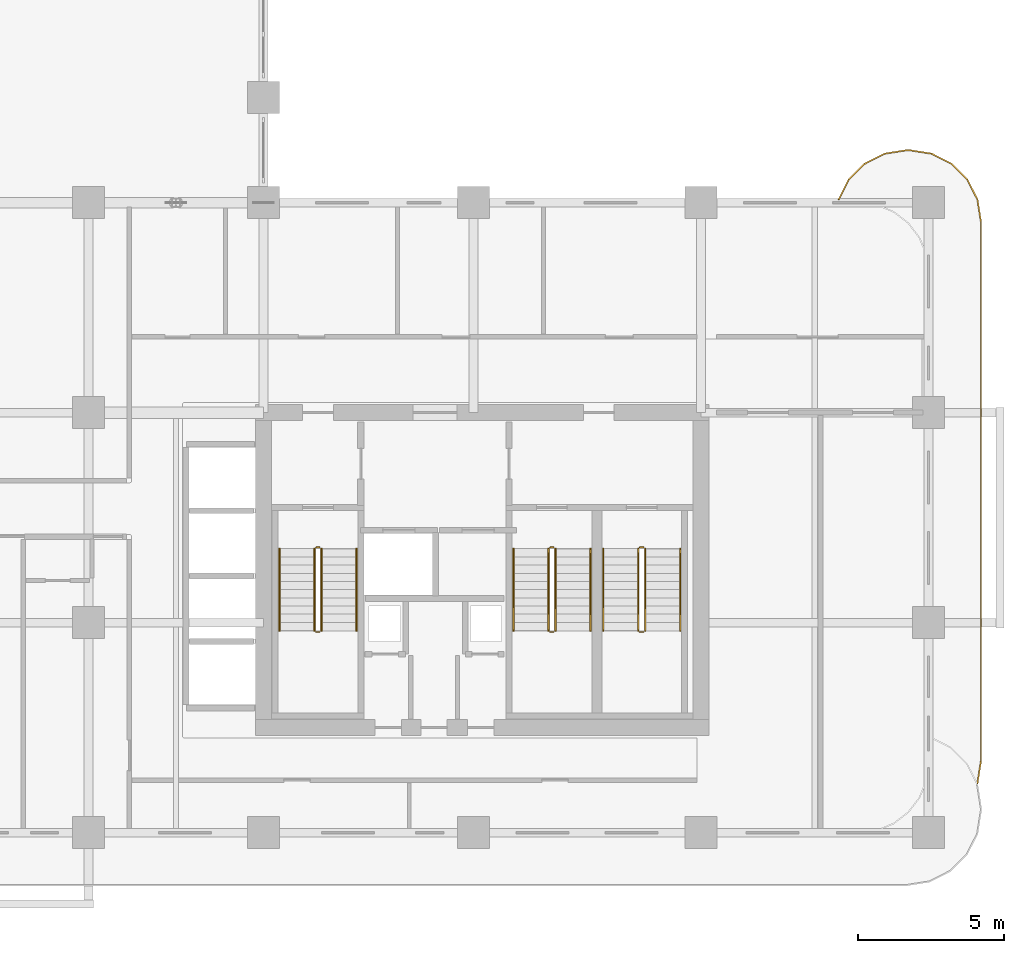
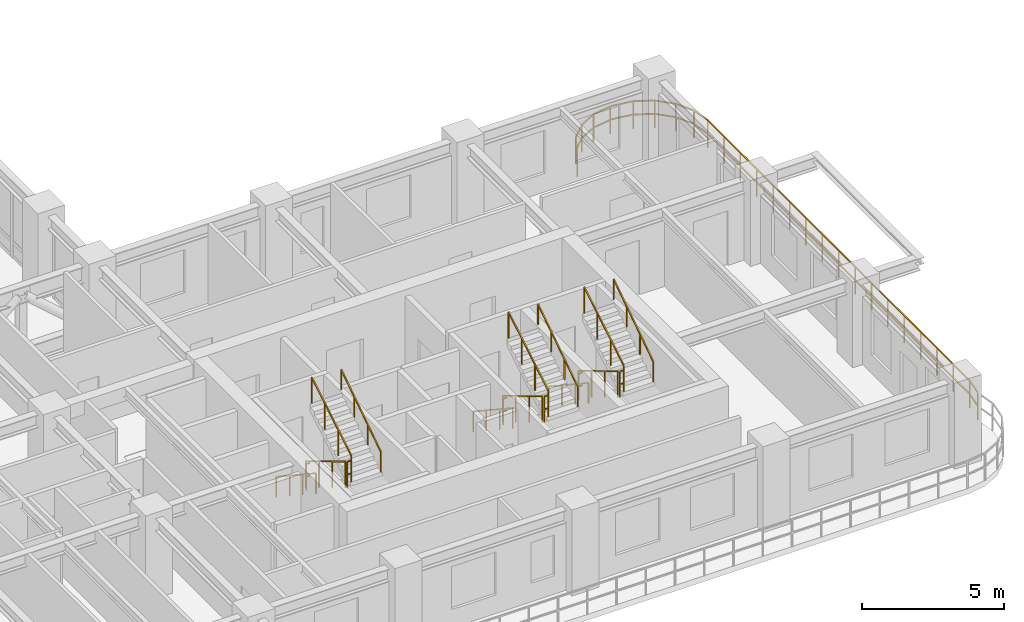
# One storey, part 19 of 21: 19 railings.
"""IFC4 building model written with IfcOpenShell, lengths in metres."""

from ifc_helpers import new_model, si_unit, derived_unit, direction, frame, origin, origin_2d, place, context, subcontext, project, spatial, rectangle, extrude, material, type_object, element, save


model = new_model("IFC4")

# Units and contexts
model_context = context("Model", 3, precision=1e-05, world=origin(), true_north=direction((0.0, 1.0)))
body_context = subcontext(model_context, "Body", "Model", "MODEL_VIEW")
ifc_project = project(units=[si_unit("LENGTHUNIT", "METRE"), si_unit("AREAUNIT", "SQUARE_METRE"), si_unit("VOLUMEUNIT", "CUBIC_METRE"), si_unit("PLANEANGLEUNIT", "RADIAN"), si_unit("MASSUNIT", "GRAM", prefix="KILO"), si_unit("THERMODYNAMICTEMPERATUREUNIT", "KELVIN"), si_unit("POWERUNIT", "WATT"), derived_unit("THERMALTRANSMITTANCEUNIT", [(si_unit("POWERUNIT", "WATT"), 1), (si_unit("AREAUNIT", "SQUARE_METRE"), -1), (si_unit("THERMODYNAMICTEMPERATUREUNIT", "KELVIN"), -1)])], contexts=[model_context])

# Site, building, storey
site_placement = place(None, origin())
site = spatial("IfcSite", under=ifc_project, at=site_placement, CompositionType="ELEMENT")
building_placement = place(site_placement, origin())
building = spatial("IfcBuilding", under=site, at=building_placement, Name="Zahravan Archway Hotel and Residences", CompositionType="ELEMENT")
storey_placement = place(building_placement, frame((0.0, 0.0, 65.699951171875)))
storey = spatial("IfcBuildingStorey", under=building, at=storey_placement, Name="L15", CompositionType="ELEMENT", Elevation=65.699951171875)

# Railings
ifc_material_1 = material(Name="Bronze & Laminated Glass Balustrade", Category="glass")
railing_type_1 = type_object("IfcRailingType", Name="RL-BAL-1200", PredefinedType="BALUSTRADE", material=ifc_material_1)
railing_1_placement = place(storey_placement, frame((54.52001953125, 21.70703125, 0.0)))
element("IfcRailing", 1, at=railing_1_placement, inside=storey, type_object=railing_type_1, Name="L15 Balustrade RL-SLB-BAL-L15-EA-1", PredefinedType="BALUSTRADE", context=body_context, shape_type="SweptSolid", body=[
    extrude(rectangle(XDim=0.048095703125, YDim=0.048095703125, at=origin_2d()), frame((0.0, 0.0, 1.17578125), z_axis=(0.453825591531, 0.891090529897, 0.0), x_axis=(-0.891090529897, 0.453825591531, 0.0)), (0.0, 0.0, 1.0), 0.7666015625),
    extrude(rectangle(XDim=0.048095703125, YDim=0.048095703125, at=origin_2d()), frame((0.0, 0.0, 0.60009765625), z_axis=(0.453825591531, 0.891090529897, 0.0), x_axis=(-0.891090529897, 0.453825591531, 0.0)), (0.0, 0.0, 1.0), 0.7666015625),
    extrude(rectangle(XDim=0.048095703125, YDim=0.048095703125, at=origin_2d()), frame((0.347900390625, 0.68310546875, 1.17578125), z_axis=(0.707106781187, 0.707106781187, 0.0), x_axis=(-0.707106781187, 0.707106781187, 0.0)), (0.0, 0.0, 1.0), 0.7666015625),
    extrude(rectangle(XDim=0.048095703125, YDim=0.048095703125, at=origin_2d()), frame((0.347900390625, 0.68310546875, 0.60009765625), z_axis=(0.707106781187, 0.707106781187, 0.0), x_axis=(-0.707106781187, 0.707106781187, 0.0)), (0.0, 0.0, 1.0), 0.7666015625),
    extrude(rectangle(XDim=0.048095703125, YDim=0.048095703125, at=origin_2d()), frame((0.889892578125, 1.22509765625, 1.17578125), z_axis=(0.891090529897, 0.453825591531, 0.0), x_axis=(-0.453825591531, 0.891090529897, 0.0)), (0.0, 0.0, 1.0), 0.7666015625),
    extrude(rectangle(XDim=0.048095703125, YDim=0.048095703125, at=origin_2d()), frame((0.889892578125, 1.22509765625, 0.60009765625), z_axis=(0.891090529897, 0.453825591531, 0.0), x_axis=(-0.453825591531, 0.891090529897, 0.0)), (0.0, 0.0, 1.0), 0.7666015625),
    extrude(rectangle(XDim=0.048095703125, YDim=0.048095703125, at=origin_2d()), frame((1.572998046875, 1.572998046875, 1.17578125), z_axis=(0.987695728695, 0.156387811283, 0.0), x_axis=(-0.156387811283, 0.987695728695, 0.0)), (0.0, 0.0, 1.0), 0.7666015625),
    extrude(rectangle(XDim=0.048095703125, YDim=0.048095703125, at=origin_2d()), frame((1.572998046875, 1.572998046875, 0.60009765625), z_axis=(0.987695728695, 0.156387811283, 0.0), x_axis=(-0.156387811283, 0.987695728695, 0.0)), (0.0, 0.0, 1.0), 0.7666015625),
    extrude(rectangle(XDim=0.048095703125, YDim=0.048095703125, at=origin_2d()), frame((2.330078125, 1.69287109375, 1.17578125), z_axis=(1.0, 0.0, 0.0), x_axis=(0.0, 1.0, 0.0)), (0.0, 0.0, 1.0), 0.099853515625),
    extrude(rectangle(XDim=0.048095703125, YDim=0.048095703125, at=origin_2d()), frame((2.330078125, 1.69287109375, 0.60009765625), z_axis=(1.0, 0.0, 0.0), x_axis=(0.0, 1.0, 0.0)), (0.0, 0.0, 1.0), 0.099853515625),
    extrude(rectangle(XDim=0.048095703125, YDim=0.048095703125, at=origin_2d()), frame((2.429931640625, 1.69287109375, 1.17578125), z_axis=(0.987695728695, -0.156387811283, 0.0), x_axis=(0.156387811283, 0.987695728695, 0.0)), (0.0, 0.0, 1.0), 0.7666015625),
    extrude(rectangle(XDim=0.048095703125, YDim=0.048095703125, at=origin_2d()), frame((2.429931640625, 1.69287109375, 0.60009765625), z_axis=(0.987695728695, -0.156387811283, 0.0), x_axis=(0.156387811283, 0.987695728695, 0.0)), (0.0, 0.0, 1.0), 0.7666015625),
    extrude(rectangle(XDim=0.048095703125, YDim=0.048095703125, at=origin_2d()), frame((3.18701171875, 1.572998046875, 1.17578125), z_axis=(0.891090529897, -0.453825591531, 0.0), x_axis=(0.453825591531, 0.891090529897, 0.0)), (0.0, 0.0, 1.0), 0.7666015625),
    extrude(rectangle(XDim=0.048095703125, YDim=0.048095703125, at=origin_2d()), frame((3.18701171875, 1.572998046875, 0.60009765625), z_axis=(0.891090529897, -0.453825591531, 0.0), x_axis=(0.453825591531, 0.891090529897, 0.0)), (0.0, 0.0, 1.0), 0.7666015625),
    extrude(rectangle(XDim=0.048095703125, YDim=0.048095703125, at=origin_2d()), frame((3.8701171875, 1.22509765625, 1.17578125), z_axis=(0.707106781187, -0.707106781187, 0.0), x_axis=(0.707106781187, 0.707106781187, 0.0)), (0.0, 0.0, 1.0), 0.7666015625),
    extrude(rectangle(XDim=0.048095703125, YDim=0.048095703125, at=origin_2d()), frame((3.8701171875, 1.22509765625, 0.60009765625), z_axis=(0.707106781187, -0.707106781187, 0.0), x_axis=(0.707106781187, 0.707106781187, 0.0)), (0.0, 0.0, 1.0), 0.7666015625),
    extrude(rectangle(XDim=0.048095703125, YDim=0.048095703125, at=origin_2d()), frame((4.412109375, 0.68310546875, 1.17578125), z_axis=(0.453825591531, -0.891090529897, 0.0), x_axis=(0.891090529897, 0.453825591531, 0.0)), (0.0, 0.0, 1.0), 0.7666015625),
    extrude(rectangle(XDim=0.048095703125, YDim=0.048095703125, at=origin_2d()), frame((4.412109375, 0.68310546875, 0.60009765625), z_axis=(0.453825591531, -0.891090529897, 0.0), x_axis=(0.891090529897, 0.453825591531, 0.0)), (0.0, 0.0, 1.0), 0.7666015625),
    extrude(rectangle(XDim=0.048095703125, YDim=0.048095703125, at=origin_2d()), frame((4.760009765625, 0.0, 1.17578125), z_axis=(0.156387811283, -0.987695728695, 0.0), x_axis=(0.987695728695, 0.156387811283, 0.0)), (0.0, 0.0, 1.0), 0.7666015625),
    extrude(rectangle(XDim=0.048095703125, YDim=0.048095703125, at=origin_2d()), frame((4.760009765625, 0.0, 0.60009765625), z_axis=(0.156387811283, -0.987695728695, 0.0), x_axis=(0.987695728695, 0.156387811283, 0.0)), (0.0, 0.0, 1.0), 0.7666015625),
    extrude(rectangle(XDim=0.048095703125, YDim=0.048095703125, at=origin_2d()), frame((4.8798828125, -0.757080078125, 1.17578125), z_axis=(0.0, -1.0, 0.0), x_axis=(1.0, 0.0, 0.0)), (0.0, 0.0, 1.0), 18.5),
    extrude(rectangle(XDim=0.048095703125, YDim=0.048095703125, at=origin_2d()), frame((4.8798828125, -0.757080078125, 0.60009765625), z_axis=(0.0, -1.0, 0.0), x_axis=(1.0, 0.0, 0.0)), (0.0, 0.0, 1.0), 18.5),
    extrude(rectangle(XDim=0.048095703125, YDim=0.048095703125, at=origin_2d()), frame((4.8798828125, -19.257080078125, 1.17578125), z_axis=(-0.156387811283, -0.987695728695, 0.0), x_axis=(0.987695728695, -0.156387811283, 0.0)), (0.0, 0.0, 1.0), 0.7666015625),
    extrude(rectangle(XDim=0.048095703125, YDim=0.048095703125, at=origin_2d()), frame((4.8798828125, -19.257080078125, 0.60009765625), z_axis=(-0.156387811283, -0.987695728695, 0.0), x_axis=(0.987695728695, -0.156387811283, 0.0)), (0.0, 0.0, 1.0), 0.7666015625),
    extrude(rectangle(XDim=0.0419921875, YDim=0.0419921875, at=origin_2d()), origin(), (0.0, 0.0, 1.0), 1.15185546875),
    extrude(rectangle(XDim=0.0419921875, YDim=0.0419921875, at=origin_2d()), frame((0.347900390625, 0.68310546875, 0.0)), (0.0, 0.0, 1.0), 1.15185546875),
    extrude(rectangle(XDim=0.0419921875, YDim=0.0419921875, at=origin_2d()), frame((0.889892578125, 1.22509765625, 0.0)), (0.0, 0.0, 1.0), 1.15185546875),
    extrude(rectangle(XDim=0.0419921875, YDim=0.0419921875, at=origin_2d()), frame((1.572998046875, 1.572998046875, 0.0)), (0.0, 0.0, 1.0), 1.15185546875),
    extrude(rectangle(XDim=0.0419921875, YDim=0.0419921875, at=origin_2d()), frame((2.330078125, 1.69287109375, 0.0)), (0.0, 0.0, 1.0), 1.15185546875),
    extrude(rectangle(XDim=0.0419921875, YDim=0.0419921875, at=origin_2d()), frame((3.18701171875, 1.572998046875, 0.0)), (0.0, 0.0, 1.0), 1.15185546875),
    extrude(rectangle(XDim=0.0419921875, YDim=0.0419921875, at=origin_2d()), frame((3.8701171875, 1.22509765625, 0.0)), (0.0, 0.0, 1.0), 1.15185546875),
    extrude(rectangle(XDim=0.0419921875, YDim=0.0419921875, at=origin_2d()), frame((4.412109375, 0.68310546875, 0.0)), (0.0, 0.0, 1.0), 1.15185546875),
    extrude(rectangle(XDim=0.0419921875, YDim=0.0419921875, at=origin_2d()), frame((4.760009765625, 0.0, 0.0)), (0.0, 0.0, 1.0), 1.15185546875),
    extrude(rectangle(XDim=0.0419921875, YDim=0.0419921875, at=origin_2d()), frame((4.8798828125, -0.757080078125, 0.0)), (0.0, 0.0, 1.0), 1.15185546875),
    extrude(rectangle(XDim=0.0419921875, YDim=0.0419921875, at=origin_2d()), frame((4.8798828125, -1.913330078125, 0.0)), (0.0, 0.0, 1.0), 1.15185546875),
    extrude(rectangle(XDim=0.0419921875, YDim=0.0419921875, at=origin_2d()), frame((4.8798828125, -3.069580078125, 0.0)), (0.0, 0.0, 1.0), 1.15185546875),
    extrude(rectangle(XDim=0.0419921875, YDim=0.0419921875, at=origin_2d()), frame((4.8798828125, -4.225830078125, 0.0)), (0.0, 0.0, 1.0), 1.15185546875),
    extrude(rectangle(XDim=0.0419921875, YDim=0.0419921875, at=origin_2d()), frame((4.8798828125, -5.382080078125, 0.0)), (0.0, 0.0, 1.0), 1.15185546875),
    extrude(rectangle(XDim=0.0419921875, YDim=0.0419921875, at=origin_2d()), frame((4.8798828125, -6.538330078125, 0.0)), (0.0, 0.0, 1.0), 1.15185546875),
    extrude(rectangle(XDim=0.0419921875, YDim=0.0419921875, at=origin_2d()), frame((4.8798828125, -7.694580078125, 0.0)), (0.0, 0.0, 1.0), 1.15185546875),
    extrude(rectangle(XDim=0.0419921875, YDim=0.0419921875, at=origin_2d()), frame((4.8798828125, -8.850830078125, 0.0)), (0.0, 0.0, 1.0), 1.15185546875),
    extrude(rectangle(XDim=0.0419921875, YDim=0.0419921875, at=origin_2d()), frame((4.8798828125, -10.007080078125, 0.0)), (0.0, 0.0, 1.0), 1.15185546875),
    extrude(rectangle(XDim=0.0419921875, YDim=0.0419921875, at=origin_2d()), frame((4.8798828125, -11.163330078125, 0.0)), (0.0, 0.0, 1.0), 1.15185546875),
    extrude(rectangle(XDim=0.0419921875, YDim=0.0419921875, at=origin_2d()), frame((4.8798828125, -12.319580078125, 0.0)), (0.0, 0.0, 1.0), 1.15185546875),
    extrude(rectangle(XDim=0.0419921875, YDim=0.0419921875, at=origin_2d()), frame((4.8798828125, -13.475830078125, 0.0)), (0.0, 0.0, 1.0), 1.15185546875),
    extrude(rectangle(XDim=0.0419921875, YDim=0.0419921875, at=origin_2d()), frame((4.8798828125, -14.632080078125, 0.0)), (0.0, 0.0, 1.0), 1.15185546875),
    extrude(rectangle(XDim=0.0419921875, YDim=0.0419921875, at=origin_2d()), frame((4.8798828125, -15.788330078125, 0.0)), (0.0, 0.0, 1.0), 1.15185546875),
    extrude(rectangle(XDim=0.0419921875, YDim=0.0419921875, at=origin_2d()), frame((4.8798828125, -16.944580078125, 0.0)), (0.0, 0.0, 1.0), 1.15185546875),
    extrude(rectangle(XDim=0.0419921875, YDim=0.0419921875, at=origin_2d()), frame((4.8798828125, -18.100830078125, 0.0)), (0.0, 0.0, 1.0), 1.15185546875),
    extrude(rectangle(XDim=0.0419921875, YDim=0.0419921875, at=origin_2d()), frame((4.8798828125, -19.257080078125, 0.0)), (0.0, 0.0, 1.0), 1.15185546875),
    extrude(rectangle(XDim=0.0419921875, YDim=0.0419921875, at=origin_2d()), frame((4.760009765625, -20.01416015625, 0.0)), (0.0, 0.0, 1.0), 1.15185546875),
])
ifc_material_2 = material(Name="Painted Tubular Steel", Category="steel")
railing_type_2 = type_object("IfcRailingType", Name="RL-STG-1150", PredefinedType="GUARDRAIL", material=ifc_material_2)
railing_2_placement = place(storey_placement, frame((36.550048828125, 9.72998046875, 0.168212890625)))
element("IfcRailing", 2, at=railing_2_placement, inside=storey, type_object=railing_type_2, Name="L15 ST-A1 stair guard 1", PredefinedType="GUARDRAIL", context=body_context, shape_type="SweptSolid", body=[
    extrude(rectangle(XDim=0.048095703125, YDim=0.048095703125, at=origin_2d()), frame((0.0, 0.0, 1.1259765625), z_axis=(0.0, -0.857242210791, 0.514913383045), x_axis=(1.0, 0.0, 0.0)), (0.0, 0.0, 1.0), 3.266357421875),
    extrude(rectangle(XDim=0.0419921875, YDim=0.0419921875, at=origin_2d()), origin(), (0.0, 0.0, 1.0), 1.101806640625),
    extrude(rectangle(XDim=0.0419921875, YDim=0.0419921875, at=origin_2d()), frame((0.0, -0.933349609375, 0.560546875)), (0.0, 0.0, 1.0), 1.101806640625),
    extrude(rectangle(XDim=0.0419921875, YDim=0.0419921875, at=origin_2d()), frame((0.0, -1.86669921875, 1.121337890625)), (0.0, 0.0, 1.0), 1.101806640625),
    extrude(rectangle(XDim=0.0419921875, YDim=0.0419921875, at=origin_2d()), frame((0.0, -2.800048828125, 1.681884765625)), (0.0, 0.0, 1.0), 1.101806640625),
])
railing_3_placement = place(storey_placement, frame((36.60009765625, 6.8798828125, 1.85009765625)))
element("IfcRailing", 3, at=railing_3_placement, inside=storey, type_object=railing_type_2, Name="L15 ST-A1 stair guard 2", PredefinedType="GUARDRAIL", context=body_context, shape_type="SweptSolid", body=[
    extrude(rectangle(XDim=0.048095703125, YDim=0.048095703125, at=origin_2d()), frame((0.0, 0.0, 1.1259765625), z_axis=(1.0, 0.0, 0.0), x_axis=(0.0, 1.0, 0.0)), (0.0, 0.0, 1.0), 0.139892578125),
    extrude(rectangle(XDim=0.048095703125, YDim=0.048095703125, at=origin_2d()), frame((0.0, 0.0, 0.574951171875), z_axis=(1.0, 0.0, 0.0), x_axis=(0.0, 1.0, 0.0)), (0.0, 0.0, 1.0), 0.139892578125),
    extrude(rectangle(XDim=0.0419921875, YDim=0.0419921875, at=origin_2d()), origin(), (0.0, 0.0, 1.0), 1.101806640625),
])
railing_4_placement = place(storey_placement, frame((36.7900390625, 6.929931640625, 2.018310546875)))
element("IfcRailing", 4, at=railing_4_placement, inside=storey, type_object=railing_type_2, Name="L15 ST-A1 stair guard 3", PredefinedType="GUARDRAIL", context=body_context, shape_type="SweptSolid", body=[
    extrude(rectangle(XDim=0.048095703125, YDim=0.048095703125, at=origin_2d()), frame((0.0, 0.0, 1.1259765625), z_axis=(0.0, 0.857275202839, 0.514858452973), x_axis=(-1.0, 0.0, 0.0)), (0.0, 0.0, 1.0), 3.26611328125),
    extrude(rectangle(XDim=0.0419921875, YDim=0.0419921875, at=origin_2d()), origin(), (0.0, 0.0, 1.0), 1.101806640625),
    extrude(rectangle(XDim=0.0419921875, YDim=0.0419921875, at=origin_2d()), frame((0.0, 0.933349609375, 0.560546875)), (0.0, 0.0, 1.0), 1.101806640625),
    extrude(rectangle(XDim=0.0419921875, YDim=0.0419921875, at=origin_2d()), frame((0.0, 1.86669921875, 1.12109375)), (0.0, 0.0, 1.0), 1.101806640625),
    extrude(rectangle(XDim=0.0419921875, YDim=0.0419921875, at=origin_2d()), frame((0.0, 2.800048828125, 1.681640625)), (0.0, 0.0, 1.0), 1.101806640625),
])
railing_5_placement = place(storey_placement, frame((36.60009765625, 9.780029296875, 0.0)))
element("IfcRailing", 5, at=railing_5_placement, inside=storey, type_object=railing_type_2, Name="L15 ST-A1 stair guard 4", PredefinedType="GUARDRAIL", context=body_context, shape_type="SweptSolid", body=[
    extrude(rectangle(XDim=0.048095703125, YDim=0.048095703125, at=origin_2d()), frame((0.0, 0.0, 1.1259765625), z_axis=(1.0, 0.0, 0.0), x_axis=(0.0, 1.0, 0.0)), (0.0, 0.0, 1.0), 0.139892578125),
    extrude(rectangle(XDim=0.048095703125, YDim=0.048095703125, at=origin_2d()), frame((0.0, 0.0, 0.574951171875), z_axis=(1.0, 0.0, 0.0), x_axis=(0.0, 1.0, 0.0)), (0.0, 0.0, 1.0), 0.139892578125),
    extrude(rectangle(XDim=0.0419921875, YDim=0.0419921875, at=origin_2d()), origin(), (0.0, 0.0, 1.0), 1.101806640625),
])
railing_6_placement = place(storey_placement, frame((44.570068359375, 9.72998046875, 0.168212890625)))
element("IfcRailing", 6, at=railing_6_placement, inside=storey, type_object=railing_type_2, Name="L15 ST-A2 stair guard 1", PredefinedType="GUARDRAIL", context=body_context, shape_type="SweptSolid", body=[
    extrude(rectangle(XDim=0.048095703125, YDim=0.048095703125, at=origin_2d()), frame((0.0, 0.0, 1.1259765625), z_axis=(0.0, -0.857242210791, 0.514913383045), x_axis=(1.0, 0.0, 0.0)), (0.0, 0.0, 1.0), 3.266357421875),
    extrude(rectangle(XDim=0.0419921875, YDim=0.0419921875, at=origin_2d()), origin(), (0.0, 0.0, 1.0), 1.101806640625),
    extrude(rectangle(XDim=0.0419921875, YDim=0.0419921875, at=origin_2d()), frame((0.0, -0.933349609375, 0.560546875)), (0.0, 0.0, 1.0), 1.101806640625),
    extrude(rectangle(XDim=0.0419921875, YDim=0.0419921875, at=origin_2d()), frame((0.0, -1.86669921875, 1.121337890625)), (0.0, 0.0, 1.0), 1.101806640625),
    extrude(rectangle(XDim=0.0419921875, YDim=0.0419921875, at=origin_2d()), frame((0.0, -2.800048828125, 1.681884765625)), (0.0, 0.0, 1.0), 1.101806640625),
])
railing_7_placement = place(storey_placement, frame((44.6201171875, 6.8798828125, 1.85009765625)))
element("IfcRailing", 7, at=railing_7_placement, inside=storey, type_object=railing_type_2, Name="L15 ST-A2 stair guard 2", PredefinedType="GUARDRAIL", context=body_context, shape_type="SweptSolid", body=[
    extrude(rectangle(XDim=0.048095703125, YDim=0.048095703125, at=origin_2d()), frame((0.0, 0.0, 1.1259765625), z_axis=(1.0, 0.0, 0.0), x_axis=(0.0, 1.0, 0.0)), (0.0, 0.0, 1.0), 0.139892578125),
    extrude(rectangle(XDim=0.048095703125, YDim=0.048095703125, at=origin_2d()), frame((0.0, 0.0, 0.574951171875), z_axis=(1.0, 0.0, 0.0), x_axis=(0.0, 1.0, 0.0)), (0.0, 0.0, 1.0), 0.139892578125),
    extrude(rectangle(XDim=0.0419921875, YDim=0.0419921875, at=origin_2d()), origin(), (0.0, 0.0, 1.0), 1.101806640625),
])
railing_8_placement = place(storey_placement, frame((44.81005859375, 6.929931640625, 2.018310546875)))
element("IfcRailing", 8, at=railing_8_placement, inside=storey, type_object=railing_type_2, Name="L15 ST-A2 stair guard 3", PredefinedType="GUARDRAIL", context=body_context, shape_type="SweptSolid", body=[
    extrude(rectangle(XDim=0.048095703125, YDim=0.048095703125, at=origin_2d()), frame((0.0, 0.0, 1.1259765625), z_axis=(0.0, 0.857275202839, 0.514858452973), x_axis=(-1.0, 0.0, 0.0)), (0.0, 0.0, 1.0), 3.26611328125),
    extrude(rectangle(XDim=0.0419921875, YDim=0.0419921875, at=origin_2d()), origin(), (0.0, 0.0, 1.0), 1.101806640625),
    extrude(rectangle(XDim=0.0419921875, YDim=0.0419921875, at=origin_2d()), frame((0.0, 0.933349609375, 0.560546875)), (0.0, 0.0, 1.0), 1.101806640625),
    extrude(rectangle(XDim=0.0419921875, YDim=0.0419921875, at=origin_2d()), frame((0.0, 1.86669921875, 1.12109375)), (0.0, 0.0, 1.0), 1.101806640625),
    extrude(rectangle(XDim=0.0419921875, YDim=0.0419921875, at=origin_2d()), frame((0.0, 2.800048828125, 1.681640625)), (0.0, 0.0, 1.0), 1.101806640625),
])
railing_9_placement = place(storey_placement, frame((44.6201171875, 9.780029296875, 0.0)))
element("IfcRailing", 9, at=railing_9_placement, inside=storey, type_object=railing_type_2, Name="L15 ST-A2 stair guard 4", PredefinedType="GUARDRAIL", context=body_context, shape_type="SweptSolid", body=[
    extrude(rectangle(XDim=0.048095703125, YDim=0.048095703125, at=origin_2d()), frame((0.0, 0.0, 1.1259765625), z_axis=(1.0, 0.0, 0.0), x_axis=(0.0, 1.0, 0.0)), (0.0, 0.0, 1.0), 0.139892578125),
    extrude(rectangle(XDim=0.048095703125, YDim=0.048095703125, at=origin_2d()), frame((0.0, 0.0, 0.574951171875), z_axis=(1.0, 0.0, 0.0), x_axis=(0.0, 1.0, 0.0)), (0.0, 0.0, 1.0), 0.139892578125),
    extrude(rectangle(XDim=0.0419921875, YDim=0.0419921875, at=origin_2d()), origin(), (0.0, 0.0, 1.0), 1.101806640625),
])
railing_10_placement = place(storey_placement, frame((47.64990234375, 9.72998046875, 0.168212890625)))
element("IfcRailing", 10, at=railing_10_placement, inside=storey, type_object=railing_type_2, Name="L15 ST-A3 stair guard 1", PredefinedType="GUARDRAIL", context=body_context, shape_type="SweptSolid", body=[
    extrude(rectangle(XDim=0.048095703125, YDim=0.048095703125, at=origin_2d()), frame((0.0, 0.0, 1.1259765625), z_axis=(0.0, -0.857242210791, 0.514913383045), x_axis=(1.0, 0.0, 0.0)), (0.0, 0.0, 1.0), 3.266357421875),
    extrude(rectangle(XDim=0.0419921875, YDim=0.0419921875, at=origin_2d()), origin(), (0.0, 0.0, 1.0), 1.101806640625),
    extrude(rectangle(XDim=0.0419921875, YDim=0.0419921875, at=origin_2d()), frame((0.0, -0.933349609375, 0.560546875)), (0.0, 0.0, 1.0), 1.101806640625),
    extrude(rectangle(XDim=0.0419921875, YDim=0.0419921875, at=origin_2d()), frame((0.0, -1.86669921875, 1.121337890625)), (0.0, 0.0, 1.0), 1.101806640625),
    extrude(rectangle(XDim=0.0419921875, YDim=0.0419921875, at=origin_2d()), frame((0.0, -2.800048828125, 1.681884765625)), (0.0, 0.0, 1.0), 1.101806640625),
])
railing_11_placement = place(storey_placement, frame((47.699951171875, 6.8798828125, 1.85009765625)))
element("IfcRailing", 11, at=railing_11_placement, inside=storey, type_object=railing_type_2, Name="L15 ST-A3 stair guard 2", PredefinedType="GUARDRAIL", context=body_context, shape_type="SweptSolid", body=[
    extrude(rectangle(XDim=0.048095703125, YDim=0.048095703125, at=origin_2d()), frame((0.0, 0.0, 1.1259765625), z_axis=(1.0, 0.0, 0.0), x_axis=(0.0, 1.0, 0.0)), (0.0, 0.0, 1.0), 0.14013671875),
    extrude(rectangle(XDim=0.048095703125, YDim=0.048095703125, at=origin_2d()), frame((0.0, 0.0, 0.574951171875), z_axis=(1.0, 0.0, 0.0), x_axis=(0.0, 1.0, 0.0)), (0.0, 0.0, 1.0), 0.14013671875),
    extrude(rectangle(XDim=0.0419921875, YDim=0.0419921875, at=origin_2d()), origin(), (0.0, 0.0, 1.0), 1.101806640625),
])
railing_12_placement = place(storey_placement, frame((47.889892578125, 6.929931640625, 2.018310546875)))
element("IfcRailing", 12, at=railing_12_placement, inside=storey, type_object=railing_type_2, Name="L15 ST-A3 stair guard 3", PredefinedType="GUARDRAIL", context=body_context, shape_type="SweptSolid", body=[
    extrude(rectangle(XDim=0.048095703125, YDim=0.048095703125, at=origin_2d()), frame((0.0, 0.0, 1.1259765625), z_axis=(0.0, 0.857275202839, 0.514858452973), x_axis=(-1.0, 0.0, 0.0)), (0.0, 0.0, 1.0), 3.26611328125),
    extrude(rectangle(XDim=0.0419921875, YDim=0.0419921875, at=origin_2d()), origin(), (0.0, 0.0, 1.0), 1.101806640625),
    extrude(rectangle(XDim=0.0419921875, YDim=0.0419921875, at=origin_2d()), frame((0.0, 0.933349609375, 0.560546875)), (0.0, 0.0, 1.0), 1.101806640625),
    extrude(rectangle(XDim=0.0419921875, YDim=0.0419921875, at=origin_2d()), frame((0.0, 1.86669921875, 1.12109375)), (0.0, 0.0, 1.0), 1.101806640625),
    extrude(rectangle(XDim=0.0419921875, YDim=0.0419921875, at=origin_2d()), frame((0.0, 2.800048828125, 1.681640625)), (0.0, 0.0, 1.0), 1.101806640625),
])
railing_13_placement = place(storey_placement, frame((47.699951171875, 9.780029296875, 0.0)))
element("IfcRailing", 13, at=railing_13_placement, inside=storey, type_object=railing_type_2, Name="L15 ST-A3 stair guard 4", PredefinedType="GUARDRAIL", context=body_context, shape_type="SweptSolid", body=[
    extrude(rectangle(XDim=0.048095703125, YDim=0.048095703125, at=origin_2d()), frame((0.0, 0.0, 1.1259765625), z_axis=(1.0, 0.0, 0.0), x_axis=(0.0, 1.0, 0.0)), (0.0, 0.0, 1.0), 0.14013671875),
    extrude(rectangle(XDim=0.048095703125, YDim=0.048095703125, at=origin_2d()), frame((0.0, 0.0, 0.574951171875), z_axis=(1.0, 0.0, 0.0), x_axis=(0.0, 1.0, 0.0)), (0.0, 0.0, 1.0), 0.14013671875),
    extrude(rectangle(XDim=0.0419921875, YDim=0.0419921875, at=origin_2d()), origin(), (0.0, 0.0, 1.0), 1.101806640625),
])
ifc_material_3 = material(Name="Brushed Stainless Steel", Category="steel")
railing_type_3 = type_object("IfcRailingType", Name="RL-STH-900", PredefinedType="HANDRAIL", material=ifc_material_3)
railing_14_placement = place(storey_placement, frame((35.35009765625, 9.72998046875, 0.168212890625)))
element("IfcRailing", 14, at=railing_14_placement, inside=storey, type_object=railing_type_3, Name="L15 ST-A1 stair handrail 1", PredefinedType="HANDRAIL", context=body_context, shape_type="SweptSolid", body=[
    extrude(rectangle(XDim=0.048095703125, YDim=0.048095703125, at=origin_2d()), frame((0.0, 0.0, 0.8759765625), z_axis=(0.0, -0.834326358476, 0.551270829586), x_axis=(1.0, 0.0, 0.0)), (0.0, 0.0, 1.0), 3.35595703125),
    extrude(rectangle(XDim=0.0419921875, YDim=0.0419921875, at=origin_2d()), origin(), (0.0, 0.0, 1.0), 0.851806640625),
    extrude(rectangle(XDim=0.0419921875, YDim=0.0419921875, at=origin_2d()), frame((0.0, -0.933349609375, 0.61669921875)), (0.0, 0.0, 1.0), 0.851806640625),
    extrude(rectangle(XDim=0.0419921875, YDim=0.0419921875, at=origin_2d()), frame((0.0, -1.86669921875, 1.2333984375)), (0.0, 0.0, 1.0), 0.851806640625),
    extrude(rectangle(XDim=0.0419921875, YDim=0.0419921875, at=origin_2d()), frame((0.0, -2.800048828125, 1.85009765625)), (0.0, 0.0, 1.0), 0.851806640625),
])
railing_15_placement = place(storey_placement, frame((37.989990234375, 6.929931640625, 2.018310546875)))
element("IfcRailing", 15, at=railing_15_placement, inside=storey, type_object=railing_type_3, Name="L15 ST-A1 stair handrail 2", PredefinedType="HANDRAIL", context=body_context, shape_type="SweptSolid", body=[
    extrude(rectangle(XDim=0.048095703125, YDim=0.048095703125, at=origin_2d()), frame((0.0, 0.0, 0.8759765625), z_axis=(0.0, 0.83435981716, 0.551220187865), x_axis=(-1.0, 0.0, 0.0)), (0.0, 0.0, 1.0), 3.35595703125),
    extrude(rectangle(XDim=0.0419921875, YDim=0.0419921875, at=origin_2d()), origin(), (0.0, 0.0, 1.0), 0.851806640625),
    extrude(rectangle(XDim=0.0419921875, YDim=0.0419921875, at=origin_2d()), frame((0.0, 0.933349609375, 0.61669921875)), (0.0, 0.0, 1.0), 0.851806640625),
    extrude(rectangle(XDim=0.0419921875, YDim=0.0419921875, at=origin_2d()), frame((0.0, 1.86669921875, 1.233154296875)), (0.0, 0.0, 1.0), 0.851806640625),
    extrude(rectangle(XDim=0.0419921875, YDim=0.0419921875, at=origin_2d()), frame((0.0, 2.800048828125, 1.849853515625)), (0.0, 0.0, 1.0), 0.851806640625),
])
railing_16_placement = place(storey_placement, frame((43.3701171875, 9.72998046875, 0.168212890625)))
element("IfcRailing", 16, at=railing_16_placement, inside=storey, type_object=railing_type_3, Name="L15 ST-A2 stair handrail 1", PredefinedType="HANDRAIL", context=body_context, shape_type="SweptSolid", body=[
    extrude(rectangle(XDim=0.048095703125, YDim=0.048095703125, at=origin_2d()), frame((0.0, 0.0, 0.8759765625), z_axis=(0.0, -0.834326358476, 0.551270829586), x_axis=(1.0, 0.0, 0.0)), (0.0, 0.0, 1.0), 3.35595703125),
    extrude(rectangle(XDim=0.0419921875, YDim=0.0419921875, at=origin_2d()), origin(), (0.0, 0.0, 1.0), 0.851806640625),
    extrude(rectangle(XDim=0.0419921875, YDim=0.0419921875, at=origin_2d()), frame((0.0, -0.933349609375, 0.61669921875)), (0.0, 0.0, 1.0), 0.851806640625),
    extrude(rectangle(XDim=0.0419921875, YDim=0.0419921875, at=origin_2d()), frame((0.0, -1.86669921875, 1.2333984375)), (0.0, 0.0, 1.0), 0.851806640625),
    extrude(rectangle(XDim=0.0419921875, YDim=0.0419921875, at=origin_2d()), frame((0.0, -2.800048828125, 1.85009765625)), (0.0, 0.0, 1.0), 0.851806640625),
])
railing_17_placement = place(storey_placement, frame((46.010009765625, 6.929931640625, 2.018310546875)))
element("IfcRailing", 17, at=railing_17_placement, inside=storey, type_object=railing_type_3, Name="L15 ST-A2 stair handrail 2", PredefinedType="HANDRAIL", context=body_context, shape_type="SweptSolid", body=[
    extrude(rectangle(XDim=0.048095703125, YDim=0.048095703125, at=origin_2d()), frame((0.0, 0.0, 0.8759765625), z_axis=(0.0, 0.83435981716, 0.551220187865), x_axis=(-1.0, 0.0, 0.0)), (0.0, 0.0, 1.0), 3.35595703125),
    extrude(rectangle(XDim=0.0419921875, YDim=0.0419921875, at=origin_2d()), origin(), (0.0, 0.0, 1.0), 0.851806640625),
    extrude(rectangle(XDim=0.0419921875, YDim=0.0419921875, at=origin_2d()), frame((0.0, 0.933349609375, 0.61669921875)), (0.0, 0.0, 1.0), 0.851806640625),
    extrude(rectangle(XDim=0.0419921875, YDim=0.0419921875, at=origin_2d()), frame((0.0, 1.86669921875, 1.233154296875)), (0.0, 0.0, 1.0), 0.851806640625),
    extrude(rectangle(XDim=0.0419921875, YDim=0.0419921875, at=origin_2d()), frame((0.0, 2.800048828125, 1.849853515625)), (0.0, 0.0, 1.0), 0.851806640625),
])
railing_18_placement = place(storey_placement, frame((46.449951171875, 9.72998046875, 0.168212890625)))
element("IfcRailing", 18, at=railing_18_placement, inside=storey, type_object=railing_type_3, Name="L15 ST-A3 stair handrail 1", PredefinedType="HANDRAIL", context=body_context, shape_type="SweptSolid", body=[
    extrude(rectangle(XDim=0.048095703125, YDim=0.048095703125, at=origin_2d()), frame((0.0, 0.0, 0.8759765625), z_axis=(0.0, -0.834326358476, 0.551270829586), x_axis=(1.0, 0.0, 0.0)), (0.0, 0.0, 1.0), 3.35595703125),
    extrude(rectangle(XDim=0.0419921875, YDim=0.0419921875, at=origin_2d()), origin(), (0.0, 0.0, 1.0), 0.851806640625),
    extrude(rectangle(XDim=0.0419921875, YDim=0.0419921875, at=origin_2d()), frame((0.0, -0.933349609375, 0.61669921875)), (0.0, 0.0, 1.0), 0.851806640625),
    extrude(rectangle(XDim=0.0419921875, YDim=0.0419921875, at=origin_2d()), frame((0.0, -1.86669921875, 1.2333984375)), (0.0, 0.0, 1.0), 0.851806640625),
    extrude(rectangle(XDim=0.0419921875, YDim=0.0419921875, at=origin_2d()), frame((0.0, -2.800048828125, 1.85009765625)), (0.0, 0.0, 1.0), 0.851806640625),
])
railing_19_placement = place(storey_placement, frame((49.090087890625, 6.929931640625, 2.018310546875)))
element("IfcRailing", 19, at=railing_19_placement, inside=storey, type_object=railing_type_3, Name="L15 ST-A3 stair handrail 2", PredefinedType="HANDRAIL", context=body_context, shape_type="SweptSolid", body=[
    extrude(rectangle(XDim=0.048095703125, YDim=0.048095703125, at=origin_2d()), frame((0.0, 0.0, 0.8759765625), z_axis=(0.0, 0.83435981716, 0.551220187865), x_axis=(-1.0, 0.0, 0.0)), (0.0, 0.0, 1.0), 3.35595703125),
    extrude(rectangle(XDim=0.0419921875, YDim=0.0419921875, at=origin_2d()), origin(), (0.0, 0.0, 1.0), 0.851806640625),
    extrude(rectangle(XDim=0.0419921875, YDim=0.0419921875, at=origin_2d()), frame((0.0, 0.933349609375, 0.61669921875)), (0.0, 0.0, 1.0), 0.851806640625),
    extrude(rectangle(XDim=0.0419921875, YDim=0.0419921875, at=origin_2d()), frame((0.0, 1.86669921875, 1.233154296875)), (0.0, 0.0, 1.0), 0.851806640625),
    extrude(rectangle(XDim=0.0419921875, YDim=0.0419921875, at=origin_2d()), frame((0.0, 2.800048828125, 1.849853515625)), (0.0, 0.0, 1.0), 0.851806640625),
])

save(model, "model.ifc")
